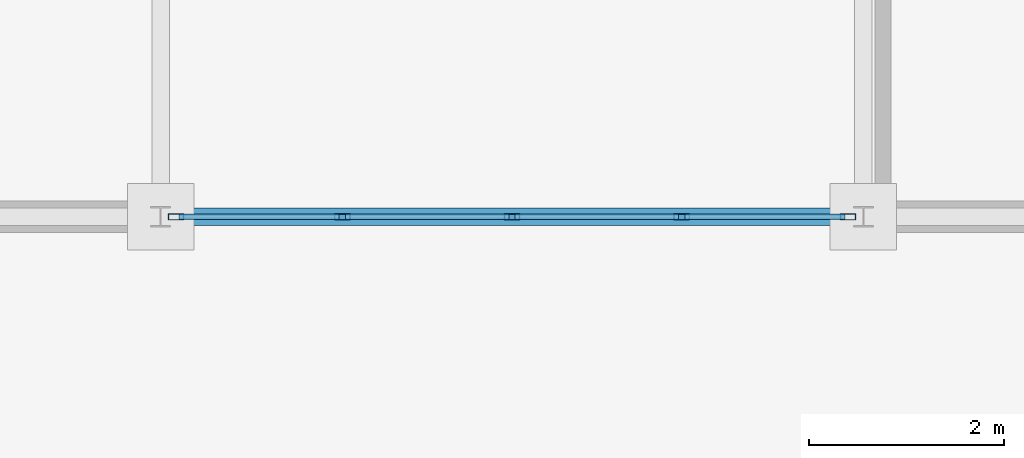
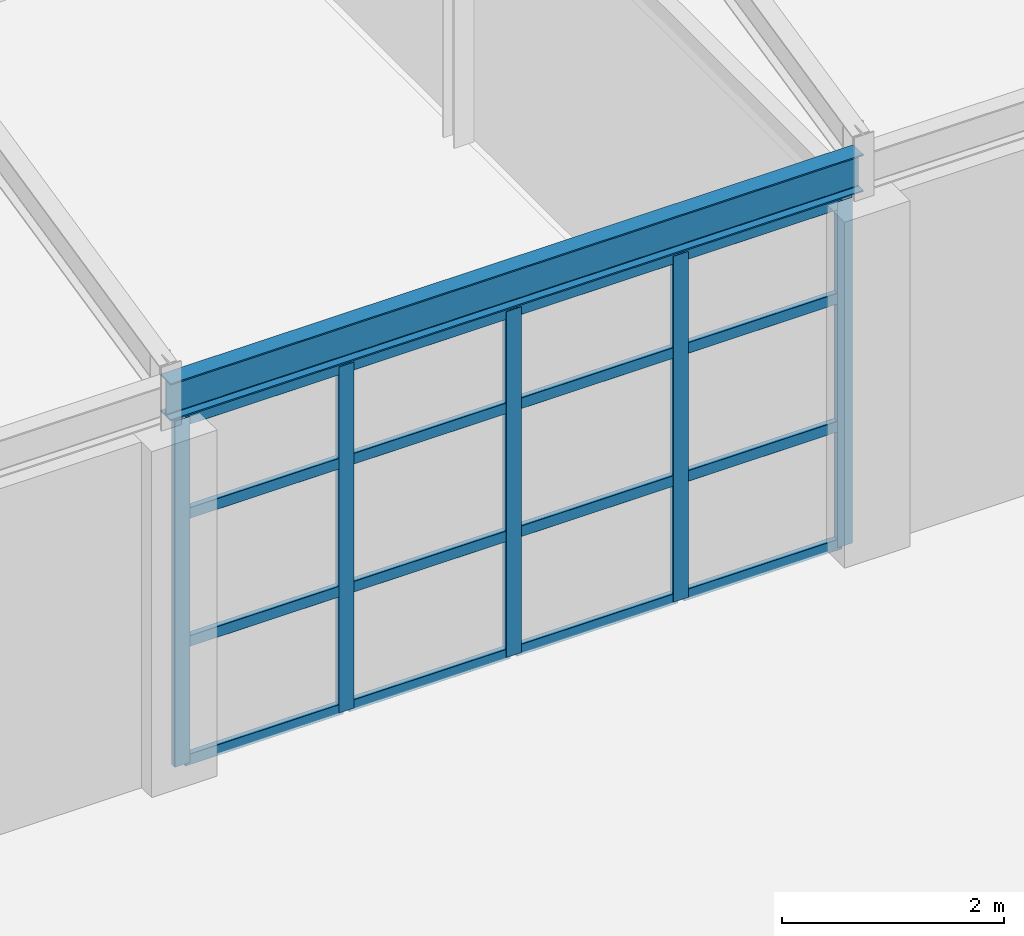
# One storey, part 52 of 101: 21 members, 1 beam, 1 element without a shape of its own.
"""IFC4 building model written with IfcOpenShell, lengths in metres."""

import ifcopenshell
import ifcopenshell.guid

model = None  # the IFC model being written
_history = None  # IfcOwnerHistory: only IFC2X3 demands one
_inside = {}  # id of a spatial element -> (the spatial element, [elements in it])
_under = {}  # id of a project, library or spatial element -> (it, [spatial elements below it])
_declared = {}  # id of a project -> (the project, [libraries it declares])
_typed = {}  # id of a type object -> (the type object, [elements of that type])
_made_of = {}  # id of a material, layer set ... -> (it, [elements and type objects made of it])


def new_model(schema):
    """Start an empty IFC model of exactly this schema.

    Asked for "IFC4X3", IfcOpenShell would pick the latest addendum, in which some entities
    have other attributes; the version numbers below select the first issue.
    IFC2X3 requires an IfcOwnerHistory on every rooted entity: one is made here for all.
    """
    global model, _history
    if schema == "IFC4X3":
        model = ifcopenshell.file(schema_version=(4, 3, 0, 0))
    else:
        model = ifcopenshell.file(schema=schema)
    _inside.clear()
    _under.clear()
    _declared.clear()
    _typed.clear()
    _made_of.clear()
    _history = None
    if model.schema == "IFC2X3":
        org = make("IfcOrganization", Name="unknown")
        user = make(
            "IfcPersonAndOrganization",
            ThePerson=make("IfcPerson", FamilyName="unknown"),
            TheOrganization=org,
        )
        app = make(
            "IfcApplication",
            ApplicationDeveloper=org,
            Version="unknown",
            ApplicationFullName="unknown",
            ApplicationIdentifier="unknown",
        )
        _history = make(
            "IfcOwnerHistory",
            OwningUser=user,
            OwningApplication=app,
            ChangeAction="ADDED",
            CreationDate=0,
        )
    return model


def make(cls, **values):
    """One entity of the class cls with the attributes given. An attribute that is None is left unset."""
    return model.create_entity(
        cls, **{name: value for name, value in values.items() if value is not None}
    )


def rooted(cls, **values):
    """An entity with a GlobalId (a new one), such as an element, a storey or a relation."""
    return make(cls, GlobalId=ifcopenshell.guid.new(), OwnerHistory=_history, **values)


def si_unit(unit_type, name, prefix=None):
    """IfcSIUnit, for example si_unit("LENGTHUNIT", "METRE", prefix="MILLI")."""
    return make("IfcSIUnit", UnitType=unit_type, Prefix=prefix, Name=name)


def assignment(units):
    """IfcUnitAssignment: the units of a project."""
    return None if units is None else make("IfcUnitAssignment", Units=units)


def point(xyz):
    """IfcCartesianPoint."""
    return None if xyz is None else make("IfcCartesianPoint", Coordinates=xyz)


def direction(xyz):
    """IfcDirection."""
    return None if xyz is None else make("IfcDirection", DirectionRatios=xyz)


def frame(location, z_axis=None, x_axis=None):
    """IfcAxis2Placement3D, a coordinate frame: its origin and axes. An axis left out is left unset."""
    return make(
        "IfcAxis2Placement3D",
        Location=point(location),
        Axis=direction(z_axis),
        RefDirection=direction(x_axis),
    )


def frame_2d(location, x_axis=None):
    """IfcAxis2Placement2D, a coordinate frame in the plane: its origin and x axis."""
    return make(
        "IfcAxis2Placement2D", Location=point(location), RefDirection=direction(x_axis)
    )


def origin():
    """The frame at (0, 0, 0) with its axes left unset."""
    return frame((0.0, 0.0, 0.0))


def origin_2d():
    """The frame at (0, 0) in the plane with its x axis left unset."""
    return frame_2d((0.0, 0.0))


def place(relative_to, where):
    """IfcLocalPlacement: puts the frame where relative to a parent placement (None: the world)."""
    return make(
        "IfcLocalPlacement", PlacementRelTo=relative_to, RelativePlacement=where
    )


def context(
    kind, dimensions, precision=None, world=None, true_north=None, identifier=None
):
    """IfcGeometricRepresentationContext, for example the 3D "Model" context."""
    return make(
        "IfcGeometricRepresentationContext",
        ContextIdentifier=identifier,
        ContextType=kind,
        CoordinateSpaceDimension=dimensions,
        Precision=precision,
        WorldCoordinateSystem=world,
        TrueNorth=true_north,
    )


def subcontext(parent, identifier, kind, view, scale=None):
    """IfcGeometricRepresentationSubContext, for example "Body" below "Model"."""
    return make(
        "IfcGeometricRepresentationSubContext",
        ContextIdentifier=identifier,
        ContextType=kind,
        ParentContext=parent,
        TargetScale=scale,
        TargetView=view,
    )


def project(units=None, contexts=None):
    """IfcProject with its units and contexts."""
    return rooted(
        "IfcProject",
        Name="project",
        RepresentationContexts=contexts,
        UnitsInContext=assignment(units),
    )


def spatial(cls, under=None, at=None, **own):
    """A site, building, storey or space (cls), placed at a placement, below another one or the project."""
    s = rooted(cls, ObjectPlacement=at, **own)
    if under is not None:
        _under.setdefault(under.id(), (under, []))[1].append(s)
    return s


def profile(cls, at=None, kind="AREA", **sizes):
    """A parametric profile (cls). Its sizes go by their IFC names, for example OverallWidth=200.0."""
    return make(cls, ProfileType=kind, Position=at, **sizes)


def hollow_rectangle(**sizes):
    """IfcRectangleHollowProfileDef."""
    return profile("IfcRectangleHollowProfileDef", **sizes)


def i_section(**sizes):
    """IfcIShapeProfileDef."""
    return profile("IfcIShapeProfileDef", **sizes)


def extrude(swept, where, along, depth):
    """IfcExtrudedAreaSolid: the profile swept, set in the frame where, extruded along a direction by depth."""
    return make(
        "IfcExtrudedAreaSolid",
        SweptArea=swept,
        Position=where,
        ExtrudedDirection=direction(along),
        Depth=depth,
    )


def shape(context_of_items, identifier, shape_type, items):
    """IfcShapeRepresentation: the items that make up one representation, for example the "Body"."""
    return make(
        "IfcShapeRepresentation",
        ContextOfItems=context_of_items,
        RepresentationIdentifier=identifier,
        RepresentationType=shape_type,
        Items=items,
    )


def material(Name=None, Category=None):
    """IfcMaterial."""
    return make("IfcMaterial", Name=Name, Category=Category)


def layer(
    of_material, thickness, ventilated=None, Name=None, Category=None, Priority=None
):
    """IfcMaterialLayer: one layer of a wall or slab, of a material (None: an air gap)."""
    return make(
        "IfcMaterialLayer",
        Material=of_material,
        LayerThickness=thickness,
        IsVentilated=ventilated,
        Name=Name,
        Category=Category,
        Priority=Priority,
    )


def layer_set(layers, Name=None):
    """IfcMaterialLayerSet."""
    return make("IfcMaterialLayerSet", MaterialLayers=layers, LayerSetName=Name)


def material_profile(
    of_material, cross_section, Name=None, Category=None, Priority=None
):
    """IfcMaterialProfile: a cross section and its material."""
    return make(
        "IfcMaterialProfile",
        Name=Name,
        Material=of_material,
        Profile=cross_section,
        Priority=Priority,
        Category=Category,
    )


def profile_set(profiles, Name=None, composite=None):
    """IfcMaterialProfileSet."""
    return make(
        "IfcMaterialProfileSet",
        Name=Name,
        MaterialProfiles=profiles,
        CompositeProfile=composite,
    )


def made_of(thing, what):
    """Note that an element or type object is made of a material, layer set ...; save() writes the relation."""
    if what is not None:
        _made_of.setdefault(what.id(), (what, []))[1].append(thing)
    return thing


def type_object(cls, material=None, **own):
    """A type object (cls), such as IfcWallType, which elements share."""
    return made_of(rooted(cls, **own), material)


def element(
    cls,
    number,
    at=None,
    inside=None,
    cuts=None,
    type_object=None,
    material=None,
    context=None,
    identifier="Body",
    shape_type=None,
    held_by="IfcProductDefinitionShape",
    body=None,
    shapes=None,
    **own,
):
    """One element of the class cls, such as IfcWall. Its Tag is "e" and its number.

    at: its placement. inside: the storey or other place that contains it. cuts: it is an
    opening in that element (IfcRelVoidsElement). A single representation is given by context,
    identifier, shape_type and body (its items); several are given by shapes. held_by: the class
    of the entity that holds the representations. save() writes the other relations.
    """
    e = rooted(cls, Tag="e%d" % number, ObjectPlacement=at, **own)
    if body is not None:
        shapes = [shape(context, identifier, shape_type, body)]
    if shapes is not None:
        e.Representation = make(held_by, Representations=shapes)
    if inside is not None:
        _inside.setdefault(inside.id(), (inside, []))[1].append(e)
    if cuts is not None:
        rooted(
            "IfcRelVoidsElement", RelatingBuildingElement=cuts, RelatedOpeningElement=e
        )
    if type_object is not None:
        _typed.setdefault(type_object.id(), (type_object, []))[1].append(e)
    return made_of(e, material)


def aggregate(whole, parts):
    """IfcRelAggregates: a whole, such as a stair, and the parts it consists of."""
    return rooted("IfcRelAggregates", RelatingObject=whole, RelatedObjects=parts)


def save(model, path):
    """Write the relations noted so far, then the file.

    IfcRelAggregates (storeys below a building ...), IfcRelContainedInSpatialStructure (elements
    in a storey), IfcRelDefinesByType, IfcRelAssociatesMaterial and IfcRelDeclares: one each for
    every whole, place, type object, material and project.
    """
    for whole, parts in _under.values():
        aggregate(whole, parts)
    for where, things in _inside.values():
        rooted(
            "IfcRelContainedInSpatialStructure",
            RelatedElements=things,
            RelatingStructure=where,
        )
    for kind, things in _typed.values():
        rooted("IfcRelDefinesByType", RelatedObjects=things, RelatingType=kind)
    for what, things in _made_of.values():
        rooted("IfcRelAssociatesMaterial", RelatedObjects=things, RelatingMaterial=what)
    for by, libraries in _declared.values():
        rooted("IfcRelDeclares", RelatingContext=by, RelatedDefinitions=libraries)
    model.write(path)


model = new_model("IFC4")

# Units and contexts
model_context = context("Model", 3, precision=1e-05, world=origin(), true_north=direction((0.0, 1.0)))
body_context = subcontext(model_context, "Body", "Model", "MODEL_VIEW")
ifc_project = project(units=[si_unit("LENGTHUNIT", "METRE"), si_unit("AREAUNIT", "SQUARE_METRE"), si_unit("VOLUMEUNIT", "CUBIC_METRE"), si_unit("PLANEANGLEUNIT", "RADIAN"), si_unit("MASSUNIT", "GRAM", prefix="KILO")], contexts=[model_context])

# Site, building, storey
site_placement = place(None, origin())
site = spatial("IfcSite", under=ifc_project, at=site_placement, CompositionType="ELEMENT")
building_placement = place(site_placement, origin())
building = spatial("IfcBuilding", under=site, at=building_placement, Name="Kemerveld Promenade Tramway Depot", CompositionType="ELEMENT")
storey_placement = place(building_placement, frame((0.0, 0.0, 9.89990234375)))
storey = spatial("IfcBuildingStorey", under=building, at=storey_placement, Name="L02", CompositionType="ELEMENT", Elevation=9.89990234375)

# Beam
ifc_material_1 = material(Name="Steel S355", Category="steel")
ifc_material_profile_1 = material_profile(ifc_material_1, i_section(OverallWidth=0.1787109375, OverallDepth=0.409423828125, WebThickness=0.0087890625, FlangeThickness=0.014404296875, FilletRadius=0.01025390625, at=origin_2d()), Name="406x178x67 UB")
ifc_profile_set_1 = profile_set([ifc_material_profile_1], Name="Steel S355")
beam_type = type_object("IfcBeamType", Name="BM-G07", PredefinedType="BEAM", material=ifc_profile_set_1)
beam_placement = place(storey_placement, frame((86.39990234375, 7.199951171875, 4.0703125), z_axis=(1.0, 0.0, 0.0), x_axis=(0.0, 1.0, 0.0)))
element("IfcBeam", 1, at=beam_placement, inside=storey, type_object=beam_type, Name="BMX-L02-13-14-B", PredefinedType="BEAM", context=body_context, shape_type="SweptSolid", body=[
    extrude(i_section(OverallWidth=0.1787109375, OverallDepth=0.409423828125, WebThickness=0.0087890625, FlangeThickness=0.014404296875, FilletRadius=0.01025390625, at=origin_2d()), origin(), (0.0, 0.0, 1.0), 7.2001953125),
])

# Curtain wall, members
ifc_material_2 = material(Name="Bronze anodised aluminium and solar glass", Category="aluminium")
ifc_layer = layer(ifc_material_2, 0.159912109375)
ifc_layer_set = layer_set([ifc_layer], Name="CW-SYS-09")
curtain_wall_type = type_object("IfcCurtainWallType", Name="CW-SYS-09", PredefinedType="USERDEFINED", material=ifc_layer_set)
curtain_wall_placement = place(storey_placement, origin())
curtain_wall = element("IfcCurtainWall", 2, at=curtain_wall_placement, inside=storey, type_object=curtain_wall_type, Name="CW-L02-V4S-06", ObjectType="GLAZED_CURTAIN_WALL", PredefinedType="USERDEFINED")
ifc_material_3 = material(Name="Bronze anodised aluminium", Category="aluminium")
ifc_material_profile_2 = material_profile(ifc_material_3, hollow_rectangle(XDim=0.06494140625, YDim=0.159912109375, WallThickness=0.00390625, InnerFilletRadius=0.001953125, OuterFilletRadius=0.00390625, at=origin_2d()), Name="CW-MUL-160x65")
ifc_profile_set_2 = profile_set([ifc_material_profile_2], Name="Bronze anodised aluminium")
member_type_1 = type_object("IfcMemberType", Name="CW-MUL-A", PredefinedType="MULLION", material=ifc_profile_set_2)
member_1_placement = place(storey_placement, frame((93.442626953125, 7.199951171875, 0.0), z_axis=(0.0, 0.0, 1.0), x_axis=(0.0, -1.0, 0.0)))
member_1 = element("IfcMember", 3, at=member_1_placement, type_object=member_type_1, Name="CW09 mullion 1", PredefinedType="MULLION", context=body_context, shape_type="SweptSolid", body=[
    extrude(hollow_rectangle(XDim=0.06494140625, YDim=0.159912109375, WallThickness=0.00390625, InnerFilletRadius=0.001953125, OuterFilletRadius=0.00390625, at=origin_2d()), origin(), (0.0, 0.0, 1.0), 3.800048828125),
])
member_2_placement = place(storey_placement, frame((91.737548828125, 7.199951171875, 0.0), z_axis=(0.0, 0.0, 1.0), x_axis=(0.0, -1.0, 0.0)))
member_2 = element("IfcMember", 4, at=member_2_placement, type_object=member_type_1, Name="CW09 mullion 2", PredefinedType="MULLION", context=body_context, shape_type="SweptSolid", body=[
    extrude(hollow_rectangle(XDim=0.06494140625, YDim=0.159912109375, WallThickness=0.00390625, InnerFilletRadius=0.001953125, OuterFilletRadius=0.00390625, at=origin_2d()), origin(), (0.0, 0.0, 1.0), 3.800048828125),
])
member_3_placement = place(storey_placement, frame((90.0, 7.199951171875, 0.0), z_axis=(0.0, 0.0, 1.0), x_axis=(0.0, -1.0, 0.0)))
member_3 = element("IfcMember", 5, at=member_3_placement, type_object=member_type_1, Name="CW09 mullion 3", PredefinedType="MULLION", context=body_context, shape_type="SweptSolid", body=[
    extrude(hollow_rectangle(XDim=0.06494140625, YDim=0.159912109375, WallThickness=0.00390625, InnerFilletRadius=0.001953125, OuterFilletRadius=0.00390625, at=origin_2d()), origin(), (0.0, 0.0, 1.0), 3.800048828125),
])
member_4_placement = place(storey_placement, frame((88.262451171875, 7.199951171875, 0.0), z_axis=(0.0, 0.0, 1.0), x_axis=(0.0, -1.0, 0.0)))
member_4 = element("IfcMember", 6, at=member_4_placement, type_object=member_type_1, Name="CW09 mullion 4", PredefinedType="MULLION", context=body_context, shape_type="SweptSolid", body=[
    extrude(hollow_rectangle(XDim=0.06494140625, YDim=0.159912109375, WallThickness=0.00390625, InnerFilletRadius=0.001953125, OuterFilletRadius=0.00390625, at=origin_2d()), origin(), (0.0, 0.0, 1.0), 3.800048828125),
])
member_5_placement = place(storey_placement, frame((86.557373046875, 7.199951171875, 0.0), z_axis=(0.0, 0.0, 1.0), x_axis=(0.0, -1.0, 0.0)))
member_5 = element("IfcMember", 7, at=member_5_placement, type_object=member_type_1, Name="CW09 mullion 5", PredefinedType="MULLION", context=body_context, shape_type="SweptSolid", body=[
    extrude(hollow_rectangle(XDim=0.06494140625, YDim=0.159912109375, WallThickness=0.00390625, InnerFilletRadius=0.001953125, OuterFilletRadius=0.00390625, at=origin_2d()), origin(), (0.0, 0.0, 1.0), 3.800048828125),
])
ifc_material_profile_3 = material_profile(ifc_material_3, hollow_rectangle(XDim=0.06005859375, YDim=0.1201171875, WallThickness=0.00390625, InnerFilletRadius=0.001953125, OuterFilletRadius=0.00390625, at=origin_2d()), Name="CW-TRN-120x60")
ifc_profile_set_3 = profile_set([ifc_material_profile_3], Name="Bronze anodised aluminium")
member_type_2 = type_object("IfcMemberType", Name="CW-TRN-A", PredefinedType="USERDEFINED", material=ifc_profile_set_3)
member_6_placement = place(storey_placement, frame((93.41015625, 7.199951171875, 0.030029296875), z_axis=(-1.0, 0.0, 0.0), x_axis=(0.0, -1.0, 0.0)))
member_6 = element("IfcMember", 8, at=member_6_placement, type_object=member_type_2, Name="CW09 transom 1.1", ObjectType="TRANSOM", PredefinedType="USERDEFINED", context=body_context, shape_type="SweptSolid", body=[
    extrude(hollow_rectangle(XDim=0.06005859375, YDim=0.1201171875, WallThickness=0.00390625, InnerFilletRadius=0.001953125, OuterFilletRadius=0.00390625, at=origin_2d()), origin(), (0.0, 0.0, 1.0), 1.64013671875),
])
member_7_placement = place(storey_placement, frame((93.41015625, 7.199951171875, 1.330078125), z_axis=(-1.0, 0.0, 0.0), x_axis=(0.0, -1.0, 0.0)))
member_7 = element("IfcMember", 9, at=member_7_placement, type_object=member_type_2, Name="CW09 transom 1.2", ObjectType="TRANSOM", PredefinedType="USERDEFINED", context=body_context, shape_type="SweptSolid", body=[
    extrude(hollow_rectangle(XDim=0.06005859375, YDim=0.1201171875, WallThickness=0.00390625, InnerFilletRadius=0.001953125, OuterFilletRadius=0.00390625, at=origin_2d()), origin(), (0.0, 0.0, 1.0), 1.64013671875),
])
member_8_placement = place(storey_placement, frame((93.41015625, 7.199951171875, 2.736083984375), z_axis=(-1.0, 0.0, 0.0), x_axis=(0.0, -1.0, 0.0)))
member_8 = element("IfcMember", 10, at=member_8_placement, type_object=member_type_2, Name="CW09 transom 1.3", ObjectType="TRANSOM", PredefinedType="USERDEFINED", context=body_context, shape_type="SweptSolid", body=[
    extrude(hollow_rectangle(XDim=0.06005859375, YDim=0.1201171875, WallThickness=0.00390625, InnerFilletRadius=0.001953125, OuterFilletRadius=0.00390625, at=origin_2d()), origin(), (0.0, 0.0, 1.0), 1.64013671875),
])
member_9_placement = place(storey_placement, frame((93.41015625, 7.199951171875, 3.77001953125), z_axis=(-1.0, 0.0, 0.0), x_axis=(0.0, -1.0, 0.0)))
member_9 = element("IfcMember", 11, at=member_9_placement, type_object=member_type_2, Name="CW09 transom 1.4", ObjectType="TRANSOM", PredefinedType="USERDEFINED", context=body_context, shape_type="SweptSolid", body=[
    extrude(hollow_rectangle(XDim=0.06005859375, YDim=0.1201171875, WallThickness=0.00390625, InnerFilletRadius=0.001953125, OuterFilletRadius=0.00390625, at=origin_2d()), origin(), (0.0, 0.0, 1.0), 1.64013671875),
])
member_10_placement = place(storey_placement, frame((91.705078125, 7.199951171875, 0.030029296875), z_axis=(-1.0, 0.0, 0.0), x_axis=(0.0, -1.0, 0.0)))
member_10 = element("IfcMember", 12, at=member_10_placement, type_object=member_type_2, Name="CW09 transom 2.1", ObjectType="TRANSOM", PredefinedType="USERDEFINED", context=body_context, shape_type="SweptSolid", body=[
    extrude(hollow_rectangle(XDim=0.06005859375, YDim=0.1201171875, WallThickness=0.00390625, InnerFilletRadius=0.001953125, OuterFilletRadius=0.00390625, at=origin_2d()), origin(), (0.0, 0.0, 1.0), 1.672607421875),
])
member_11_placement = place(storey_placement, frame((91.705078125, 7.199951171875, 1.330078125), z_axis=(-1.0, 0.0, 0.0), x_axis=(0.0, -1.0, 0.0)))
member_11 = element("IfcMember", 13, at=member_11_placement, type_object=member_type_2, Name="CW09 transom 2.2", ObjectType="TRANSOM", PredefinedType="USERDEFINED", context=body_context, shape_type="SweptSolid", body=[
    extrude(hollow_rectangle(XDim=0.06005859375, YDim=0.1201171875, WallThickness=0.00390625, InnerFilletRadius=0.001953125, OuterFilletRadius=0.00390625, at=origin_2d()), origin(), (0.0, 0.0, 1.0), 1.672607421875),
])
member_12_placement = place(storey_placement, frame((91.705078125, 7.199951171875, 2.736083984375), z_axis=(-1.0, 0.0, 0.0), x_axis=(0.0, -1.0, 0.0)))
member_12 = element("IfcMember", 14, at=member_12_placement, type_object=member_type_2, Name="CW09 transom 2.3", ObjectType="TRANSOM", PredefinedType="USERDEFINED", context=body_context, shape_type="SweptSolid", body=[
    extrude(hollow_rectangle(XDim=0.06005859375, YDim=0.1201171875, WallThickness=0.00390625, InnerFilletRadius=0.001953125, OuterFilletRadius=0.00390625, at=origin_2d()), origin(), (0.0, 0.0, 1.0), 1.672607421875),
])
member_13_placement = place(storey_placement, frame((91.705078125, 7.199951171875, 3.77001953125), z_axis=(-1.0, 0.0, 0.0), x_axis=(0.0, -1.0, 0.0)))
member_13 = element("IfcMember", 15, at=member_13_placement, type_object=member_type_2, Name="CW09 transom 2.4", ObjectType="TRANSOM", PredefinedType="USERDEFINED", context=body_context, shape_type="SweptSolid", body=[
    extrude(hollow_rectangle(XDim=0.06005859375, YDim=0.1201171875, WallThickness=0.00390625, InnerFilletRadius=0.001953125, OuterFilletRadius=0.00390625, at=origin_2d()), origin(), (0.0, 0.0, 1.0), 1.672607421875),
])
member_14_placement = place(storey_placement, frame((89.967529296875, 7.199951171875, 0.030029296875), z_axis=(-1.0, 0.0, 0.0), x_axis=(0.0, -1.0, 0.0)))
member_14 = element("IfcMember", 16, at=member_14_placement, type_object=member_type_2, Name="CW09 transom 3.1", ObjectType="TRANSOM", PredefinedType="USERDEFINED", context=body_context, shape_type="SweptSolid", body=[
    extrude(hollow_rectangle(XDim=0.06005859375, YDim=0.1201171875, WallThickness=0.00390625, InnerFilletRadius=0.001953125, OuterFilletRadius=0.00390625, at=origin_2d()), origin(), (0.0, 0.0, 1.0), 1.672607421875),
])
member_15_placement = place(storey_placement, frame((89.967529296875, 7.199951171875, 1.330078125), z_axis=(-1.0, 0.0, 0.0), x_axis=(0.0, -1.0, 0.0)))
member_15 = element("IfcMember", 17, at=member_15_placement, type_object=member_type_2, Name="CW09 transom 3.2", ObjectType="TRANSOM", PredefinedType="USERDEFINED", context=body_context, shape_type="SweptSolid", body=[
    extrude(hollow_rectangle(XDim=0.06005859375, YDim=0.1201171875, WallThickness=0.00390625, InnerFilletRadius=0.001953125, OuterFilletRadius=0.00390625, at=origin_2d()), origin(), (0.0, 0.0, 1.0), 1.672607421875),
])
member_16_placement = place(storey_placement, frame((89.967529296875, 7.199951171875, 2.736083984375), z_axis=(-1.0, 0.0, 0.0), x_axis=(0.0, -1.0, 0.0)))
member_16 = element("IfcMember", 18, at=member_16_placement, type_object=member_type_2, Name="CW09 transom 3.3", ObjectType="TRANSOM", PredefinedType="USERDEFINED", context=body_context, shape_type="SweptSolid", body=[
    extrude(hollow_rectangle(XDim=0.06005859375, YDim=0.1201171875, WallThickness=0.00390625, InnerFilletRadius=0.001953125, OuterFilletRadius=0.00390625, at=origin_2d()), origin(), (0.0, 0.0, 1.0), 1.672607421875),
])
member_17_placement = place(storey_placement, frame((89.967529296875, 7.199951171875, 3.77001953125), z_axis=(-1.0, 0.0, 0.0), x_axis=(0.0, -1.0, 0.0)))
member_17 = element("IfcMember", 19, at=member_17_placement, type_object=member_type_2, Name="CW09 transom 3.4", ObjectType="TRANSOM", PredefinedType="USERDEFINED", context=body_context, shape_type="SweptSolid", body=[
    extrude(hollow_rectangle(XDim=0.06005859375, YDim=0.1201171875, WallThickness=0.00390625, InnerFilletRadius=0.001953125, OuterFilletRadius=0.00390625, at=origin_2d()), origin(), (0.0, 0.0, 1.0), 1.672607421875),
])
member_18_placement = place(storey_placement, frame((88.22998046875, 7.199951171875, 0.030029296875), z_axis=(-1.0, 0.0, 0.0), x_axis=(0.0, -1.0, 0.0)))
member_18 = element("IfcMember", 20, at=member_18_placement, type_object=member_type_2, Name="CW09 transom 4.1", ObjectType="TRANSOM", PredefinedType="USERDEFINED", context=body_context, shape_type="SweptSolid", body=[
    extrude(hollow_rectangle(XDim=0.06005859375, YDim=0.1201171875, WallThickness=0.00390625, InnerFilletRadius=0.001953125, OuterFilletRadius=0.00390625, at=origin_2d()), origin(), (0.0, 0.0, 1.0), 1.64013671875),
])
member_19_placement = place(storey_placement, frame((88.22998046875, 7.199951171875, 1.330078125), z_axis=(-1.0, 0.0, 0.0), x_axis=(0.0, -1.0, 0.0)))
member_19 = element("IfcMember", 21, at=member_19_placement, type_object=member_type_2, Name="CW09 transom 4.2", ObjectType="TRANSOM", PredefinedType="USERDEFINED", context=body_context, shape_type="SweptSolid", body=[
    extrude(hollow_rectangle(XDim=0.06005859375, YDim=0.1201171875, WallThickness=0.00390625, InnerFilletRadius=0.001953125, OuterFilletRadius=0.00390625, at=origin_2d()), origin(), (0.0, 0.0, 1.0), 1.64013671875),
])
member_20_placement = place(storey_placement, frame((88.22998046875, 7.199951171875, 2.736083984375), z_axis=(-1.0, 0.0, 0.0), x_axis=(0.0, -1.0, 0.0)))
member_20 = element("IfcMember", 22, at=member_20_placement, type_object=member_type_2, Name="CW09 transom 4.3", ObjectType="TRANSOM", PredefinedType="USERDEFINED", context=body_context, shape_type="SweptSolid", body=[
    extrude(hollow_rectangle(XDim=0.06005859375, YDim=0.1201171875, WallThickness=0.00390625, InnerFilletRadius=0.001953125, OuterFilletRadius=0.00390625, at=origin_2d()), origin(), (0.0, 0.0, 1.0), 1.64013671875),
])
member_21_placement = place(storey_placement, frame((88.22998046875, 7.199951171875, 3.77001953125), z_axis=(-1.0, 0.0, 0.0), x_axis=(0.0, -1.0, 0.0)))
member_21 = element("IfcMember", 23, at=member_21_placement, type_object=member_type_2, Name="CW09 transom 4.4", ObjectType="TRANSOM", PredefinedType="USERDEFINED", context=body_context, shape_type="SweptSolid", body=[
    extrude(hollow_rectangle(XDim=0.06005859375, YDim=0.1201171875, WallThickness=0.00390625, InnerFilletRadius=0.001953125, OuterFilletRadius=0.00390625, at=origin_2d()), origin(), (0.0, 0.0, 1.0), 1.64013671875),
])
aggregate(curtain_wall, [member_1, member_2, member_3, member_4, member_5, member_6, member_7, member_8, member_9, member_10, member_11, member_12, member_13, member_14, member_15, member_16, member_17, member_18, member_19, member_20, member_21])

save(model, "model.ifc")
